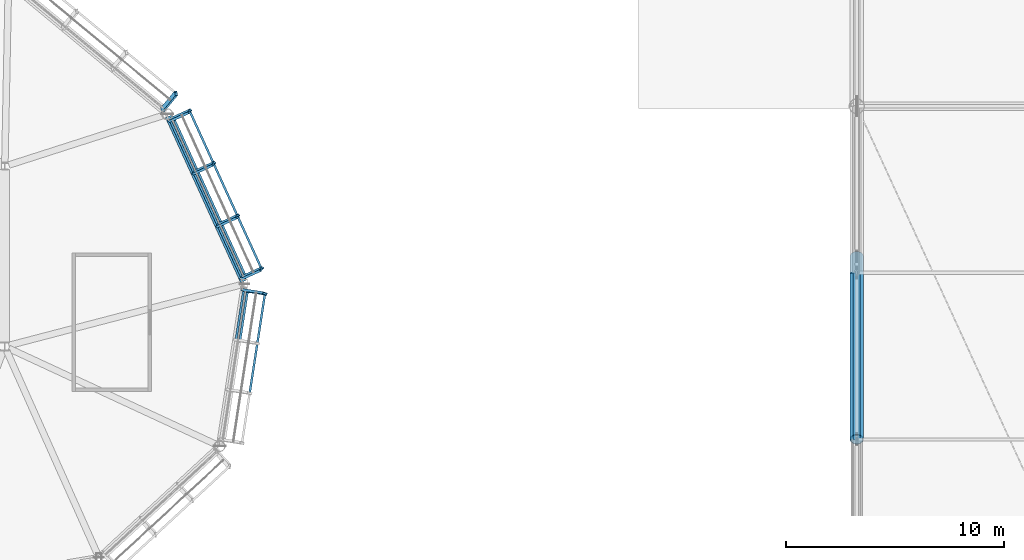
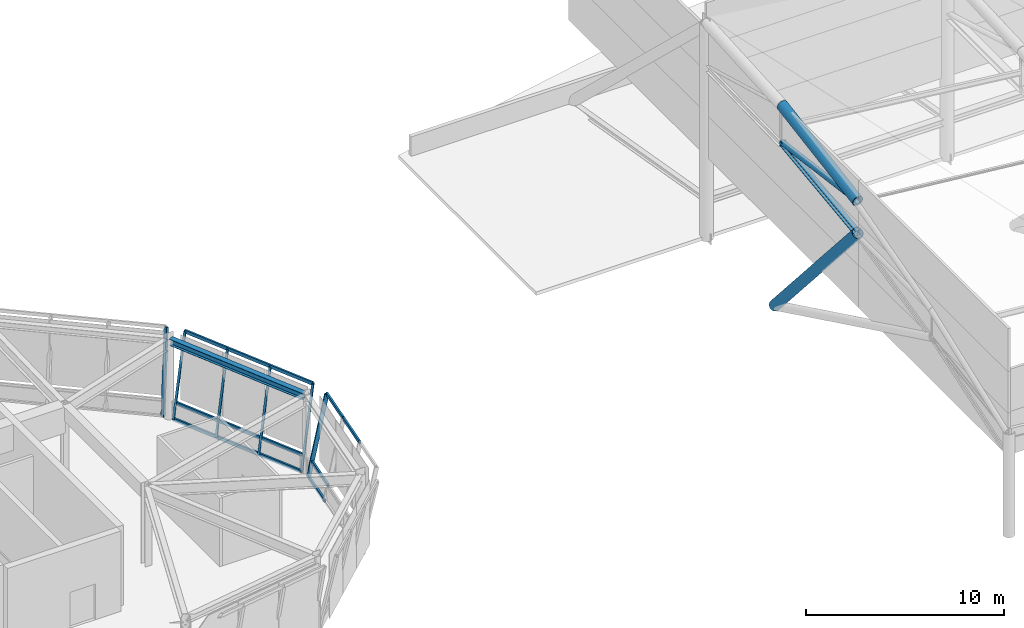
# One storey, part 57 of 113: 23 members, 1 beam, 3 elements without a shape of their own.
"""IFC4 building model written with IfcOpenShell, lengths in metres."""

from ifc_helpers import new_model, si_unit, direction, frame, origin, origin_2d, place, context, subcontext, project, spatial, hollow_rectangle, hollow_circle, i_section, extrude, material, material_profile, profile_set, type_object, element, aggregate, save


model = new_model("IFC4")

# Units and contexts
model_context = context("Model", 3, precision=1e-05, world=origin(), true_north=direction((0.0, 1.0)))
body_context = subcontext(model_context, "Body", "Model", "MODEL_VIEW")
ifc_project = project(units=[si_unit("LENGTHUNIT", "METRE"), si_unit("AREAUNIT", "SQUARE_METRE"), si_unit("VOLUMEUNIT", "CUBIC_METRE"), si_unit("PLANEANGLEUNIT", "RADIAN"), si_unit("MASSUNIT", "GRAM", prefix="KILO")], contexts=[model_context])

# Site, building, storey
site_placement = place(None, origin())
site = spatial("IfcSite", under=ifc_project, at=site_placement, CompositionType="ELEMENT")
building_placement = place(site_placement, origin())
building = spatial("IfcBuilding", under=site, at=building_placement, Name="Linyun Crest Stadium", CompositionType="ELEMENT")
storey_placement = place(building_placement, frame((0.0, 0.0, 26.39990234375)))
storey = spatial("IfcBuildingStorey", under=building, at=storey_placement, Name="L06", CompositionType="ELEMENT", Elevation=26.39990234375)

# Beam
ifc_material_1 = material(Name="Steel Q355C", Category="steel")
ifc_material_profile_1 = material_profile(ifc_material_1, i_section(OverallWidth=0.300048828125, OverallDepth=0.389892578125, WebThickness=0.010009765625, FlangeThickness=0.01611328125, at=origin_2d()), Name="HM 390x300")
ifc_profile_set_1 = profile_set([ifc_material_profile_1], Name="Steel Q355C")
beam_type = type_object("IfcBeamType", Name="B06", PredefinedType="BEAM", material=ifc_profile_set_1)
beam_placement = place(storey_placement, frame((-56.071044921875, 83.48095703125, 4.75), z_axis=(-0.41441702614, 0.910087099373, 0.0), x_axis=(-0.910087099373, -0.41441702614, 0.0)))
element("IfcBeam", 1, at=beam_placement, inside=storey, type_object=beam_type, Name="Pod ring girder B06 L06 75", PredefinedType="BEAM", context=body_context, shape_type="SweptSolid", body=[
    extrude(i_section(OverallWidth=0.300048828125, OverallDepth=0.389892578125, WebThickness=0.010009765625, FlangeThickness=0.01611328125, at=origin_2d()), origin(), (0.0, 0.0, 1.0), 8.2958984375),
])

# Curtain wall, member
ifc_material_2 = material(Name="Verdigris steel and low-E curtain wall assembly", Category="steel")
curtain_wall_type = type_object("IfcCurtainWallType", Name="MCW04", PredefinedType="NOTDEFINED", material=ifc_material_2)
curtain_wall_1_placement = place(storey_placement, origin())
curtain_wall_1 = element("IfcCurtainWall", 2, at=curtain_wall_1_placement, inside=storey, type_object=curtain_wall_type, Name="CWR-025", PredefinedType="NOTDEFINED")
ifc_material_3 = material(Name="Verdigris painted steel Q355C pod mullion", Category="steel")
ifc_material_profile_2 = material_profile(ifc_material_3, hollow_rectangle(XDim=0.1201171875, YDim=0.219970703125, WallThickness=0.008056640625, at=origin_2d()), Name="RHS 220x120x8")
ifc_profile_set_2 = profile_set([ifc_material_profile_2], Name="Verdigris painted steel Q355C pod mullion")
member_type_1 = type_object("IfcMemberType", Name="ML04", PredefinedType="MULLION", material=ifc_profile_set_2)
member_1_placement = place(storey_placement, frame((-56.06689453125, 83.074951171875, 0.0), z_axis=(0.196954171611, -0.030224909115, 0.979946686894), x_axis=(-0.297268346025, -0.954312688797, 0.030312084268)))
member_1 = element("IfcMember", 3, at=member_1_placement, type_object=member_type_1, Name="CWR-025 mullion 4", PredefinedType="MULLION", context=body_context, shape_type="SweptSolid", body=[
    extrude(hollow_rectangle(XDim=0.1201171875, YDim=0.219970703125, WallThickness=0.008056640625, at=origin_2d()), origin(), (0.0, 0.0, 1.0), 4.95947265625),
])

# Curtain wall, members
curtain_wall_2_placement = place(storey_placement, origin())
curtain_wall_2 = element("IfcCurtainWall", 4, at=curtain_wall_2_placement, inside=storey, type_object=curtain_wall_type, Name="CWR-026", PredefinedType="NOTDEFINED")
member_2_placement = place(storey_placement, frame((-56.14501953125, 83.64501953125, 0.0), z_axis=(0.181443369746, 0.082648783995, 0.979922181645), x_axis=(0.746901902917, -0.659777631544, -0.082650011091)))
member_2 = element("IfcMember", 5, at=member_2_placement, type_object=member_type_1, Name="CWR-026 mullion 1", PredefinedType="MULLION", context=body_context, shape_type="SweptSolid", body=[
    extrude(hollow_rectangle(XDim=0.1201171875, YDim=0.219970703125, WallThickness=0.008056640625, at=origin_2d()), origin(), (0.0, 0.0, 1.0), 4.959716796875),
])
member_3_placement = place(storey_placement, frame((-57.241943359375, 86.052001953125, 0.0), z_axis=(0.181443369746, 0.082648783995, 0.979922181645), x_axis=(0.746901902917, -0.659777631544, -0.082650011091)))
member_3 = element("IfcMember", 6, at=member_3_placement, type_object=member_type_1, Name="CWR-026 mullion 2", PredefinedType="MULLION", context=body_context, shape_type="SweptSolid", body=[
    extrude(hollow_rectangle(XDim=0.1201171875, YDim=0.219970703125, WallThickness=0.008056640625, at=origin_2d()), origin(), (0.0, 0.0, 1.0), 4.959716796875),
])
member_4_placement = place(storey_placement, frame((-58.337890625, 88.4599609375, 0.0), z_axis=(0.181252204132, 0.082700625459, 0.97995318513), x_axis=(0.747332110531, -0.659298213004, -0.082586820371)))
member_4 = element("IfcMember", 7, at=member_4_placement, type_object=member_type_1, Name="CWR-026 mullion 3", PredefinedType="MULLION", context=body_context, shape_type="SweptSolid", body=[
    extrude(hollow_rectangle(XDim=0.1201171875, YDim=0.219970703125, WallThickness=0.008056640625, at=origin_2d()), origin(), (0.0, 0.0, 1.0), 4.95947265625),
])
member_5_placement = place(storey_placement, frame((-59.43505859375, 90.866943359375, 0.0), z_axis=(0.181490234966, 0.082696933752, 0.979909440591), x_axis=(0.746977779315, -0.659688473454, -0.082675965084)))
member_5 = element("IfcMember", 8, at=member_5_placement, type_object=member_type_1, Name="CWR-026 mullion 4", PredefinedType="MULLION", context=body_context, shape_type="SweptSolid", body=[
    extrude(hollow_rectangle(XDim=0.1201171875, YDim=0.219970703125, WallThickness=0.008056640625, at=origin_2d()), origin(), (0.0, 0.0, 1.0), 4.959716796875),
])

# Curtain wall, member
curtain_wall_3_placement = place(storey_placement, origin())
curtain_wall_3 = element("IfcCurtainWall", 9, at=curtain_wall_3_placement, inside=storey, type_object=curtain_wall_type, Name="CWR-027", PredefinedType="NOTDEFINED")
member_6_placement = place(storey_placement, frame((-59.7900390625, 91.3310546875, 0.0), z_axis=(0.12724398281, 0.153628034951, 0.979901727581), x_axis=(0.972586832037, 0.174539399185, -0.153658232063)))
member_6 = element("IfcMember", 10, at=member_6_placement, type_object=member_type_1, Name="CWR-027 mullion 1", PredefinedType="MULLION", context=body_context, shape_type="SweptSolid", body=[
    extrude(hollow_rectangle(XDim=0.1201171875, YDim=0.219970703125, WallThickness=0.008056640625, at=origin_2d()), origin(), (0.0, 0.0, 1.0), 4.959716796875),
])
aggregate(curtain_wall_3, [member_6])

# Members
ifc_material_4 = material(Name="Steel Q420C", Category="steel")
ifc_material_profile_3 = material_profile(ifc_material_4, hollow_circle(Radius=0.304931640625, WallThickness=0.030029296875, at=origin_2d()), Name="CHS 610x30")
ifc_profile_set_3 = profile_set([ifc_material_profile_3], Name="Steel Q420C")
member_type_2 = type_object("IfcMemberType", Name="TC02", PredefinedType="CHORD", material=ifc_profile_set_3)
member_7_placement = place(storey_placement, frame((-28.0, 83.875, 12.576171875), z_axis=(0.0, -0.986323845108, -0.164818908415), x_axis=(1.0, 0.0, 0.0)))
element("IfcMember", 11, at=member_7_placement, inside=storey, type_object=member_type_2, Name="Roof truss top chord TC02 V3 366", PredefinedType="CHORD", context=body_context, shape_type="SweptSolid", body=[
    extrude(hollow_circle(Radius=0.304931640625, WallThickness=0.030029296875, at=origin_2d()), origin(), (0.0, 0.0, 1.0), 7.730712890625),
])
member_8_placement = place(storey_placement, frame((-28.0, 84.625, -0.21484375), z_axis=(0.0, -0.659690988312, 0.751536958466), x_axis=(1.0, 0.0, 0.0)))
element("IfcMember", 12, at=member_8_placement, inside=storey, type_object=member_type_2, Name="Roof arch inclined support strut TC02 V3 378", PredefinedType="CHORD", context=body_context, shape_type="SweptSolid", body=[
    extrude(hollow_circle(Radius=0.304931640625, WallThickness=0.030029296875, at=origin_2d()), origin(), (0.0, 0.0, 1.0), 12.6953125),
])
ifc_material_5 = material(Name="Steel Q355C", Category="steel")
ifc_material_profile_4 = material_profile(ifc_material_5, i_section(OverallWidth=0.300048828125, OverallDepth=0.300048828125, WebThickness=0.010009765625, FlangeThickness=0.014892578125, at=origin_2d()), Name="HW 300x300")
ifc_profile_set_4 = profile_set([ifc_material_profile_4], Name="Steel Q355C")
member_type_3 = type_object("IfcMemberType", Name="TC03", PredefinedType="CHORD", material=ifc_profile_set_4)
member_9_placement = place(storey_placement, frame((-28.0, 83.875, 10.2880859375), z_axis=(0.0, -0.992136487072, -0.125160660831), x_axis=(1.0, 0.0, 0.0)))
element("IfcMember", 13, at=member_9_placement, inside=storey, type_object=member_type_3, Name="Roof truss bottom chord TC03 V3 367", PredefinedType="CHORD", context=body_context, shape_type="SweptSolid", body=[
    extrude(i_section(OverallWidth=0.300048828125, OverallDepth=0.300048828125, WebThickness=0.010009765625, FlangeThickness=0.014892578125, at=origin_2d()), origin(), (0.0, 0.0, 1.0), 7.685546875),
])
ifc_material_6 = material(Name="Steel Q355C", Category="steel")
ifc_material_profile_5 = material_profile(ifc_material_6, hollow_circle(Radius=0.16259765625, WallThickness=0.01611328125, at=origin_2d()), Name="CHS 325x16")
ifc_profile_set_5 = profile_set([ifc_material_profile_5], Name="Steel Q355C")
member_type_4 = type_object("IfcMemberType", Name="TD02", PredefinedType="BRACE", material=ifc_profile_set_5)
member_10_placement = place(storey_placement, frame((-28.0, 83.875, 10.2880859375), z_axis=(0.0, -0.991274684729, 0.131812364424), x_axis=(1.0, 0.0, 0.0)))
element("IfcMember", 14, at=member_10_placement, inside=storey, type_object=member_type_4, Name="Roof truss diagonal TD02 V3 368", PredefinedType="BRACE", context=body_context, shape_type="SweptSolid", body=[
    extrude(hollow_circle(Radius=0.16259765625, WallThickness=0.01611328125, at=origin_2d()), origin(), (0.0, 0.0, 1.0), 7.692138671875),
])

# Member
ifc_material_7 = material(Name="Verdigris painted steel Q355C transom", Category="steel")
ifc_material_profile_6 = material_profile(ifc_material_7, hollow_rectangle(XDim=0.10009765625, YDim=0.199951171875, WallThickness=0.008056640625, at=origin_2d()), Name="RHS 200x100x8")
ifc_profile_set_6 = profile_set([ifc_material_profile_6], Name="Verdigris painted steel Q355C transom")
member_type_5 = type_object("IfcMemberType", Name="TR03", PredefinedType="USERDEFINED", material=ifc_profile_set_6)
member_11_placement = place(storey_placement, frame((-55.791015625, 78.365966796875, 4.860107421875), z_axis=(0.152248123454, 0.988342303509, 0.0), x_axis=(-0.988342303509, 0.152248123454, 0.0)))
member_11 = element("IfcMember", 15, at=member_11_placement, type_object=member_type_5, Name="CWR-025 transom 2.3", ObjectType="TRANSOM", PredefinedType="USERDEFINED", context=body_context, shape_type="SweptSolid", body=[
    extrude(hollow_rectangle(XDim=0.10009765625, YDim=0.199951171875, WallThickness=0.008056640625, at=origin_2d()), origin(), (0.0, 0.0, 1.0), 2.305908203125),
])

member_12_placement = place(storey_placement, frame((-56.41796875, 80.7958984375, 0.0), z_axis=(0.152248123454, 0.988342303509, 0.0), x_axis=(-0.988342303509, 0.152248123454, 0.0)))
member_12 = element("IfcMember", 16, at=member_12_placement, type_object=member_type_5, Name="CWR-025 transom 3.1", ObjectType="TRANSOM", PredefinedType="USERDEFINED", context=body_context, shape_type="SweptSolid", body=[
    extrude(hollow_rectangle(XDim=0.10009765625, YDim=0.199951171875, WallThickness=0.008056640625, at=origin_2d()), origin(), (0.0, 0.0, 1.0), 2.305908203125),
])

member_13_placement = place(storey_placement, frame((-56.237060546875, 80.76806640625, 0.900146484375), z_axis=(0.152248123454, 0.988342303509, 0.0), x_axis=(-0.988342303509, 0.152248123454, 0.0)))
member_13 = element("IfcMember", 17, at=member_13_placement, type_object=member_type_5, Name="CWR-025 transom 3.2", ObjectType="TRANSOM", PredefinedType="USERDEFINED", context=body_context, shape_type="SweptSolid", body=[
    extrude(hollow_rectangle(XDim=0.10009765625, YDim=0.199951171875, WallThickness=0.008056640625, at=origin_2d()), origin(), (0.0, 0.0, 1.0), 2.305908203125),
])

member_14_placement = place(storey_placement, frame((-55.43994140625, 80.64501953125, 4.860107421875), z_axis=(0.151667464216, 0.988431575931, 0.0), x_axis=(-0.988431575931, 0.151667464216, 0.0)))
member_14 = element("IfcMember", 18, at=member_14_placement, type_object=member_type_5, Name="CWR-025 transom 3.3", ObjectType="TRANSOM", PredefinedType="USERDEFINED", context=body_context, shape_type="SweptSolid", body=[
    extrude(hollow_rectangle(XDim=0.10009765625, YDim=0.199951171875, WallThickness=0.008056640625, at=origin_2d()), origin(), (0.0, 0.0, 1.0), 2.306640625),
])

aggregate(curtain_wall_1, [member_1, member_11, member_12, member_13, member_14])

member_15_placement = place(storey_placement, frame((-56.14501953125, 83.64501953125, 0.0), z_axis=(-0.414692848815, 0.90996145036, 0.0), x_axis=(-0.90996145036, -0.414692848815, 0.0)))
member_15 = element("IfcMember", 19, at=member_15_placement, type_object=member_type_5, Name="CWR-026 transom 1.1", ObjectType="TRANSOM", PredefinedType="USERDEFINED", context=body_context, shape_type="SweptSolid", body=[
    extrude(hollow_rectangle(XDim=0.10009765625, YDim=0.199951171875, WallThickness=0.008056640625, at=origin_2d()), origin(), (0.0, 0.0, 1.0), 2.645263671875),
])

member_16_placement = place(storey_placement, frame((-55.97802734375, 83.720947265625, 0.900146484375), z_axis=(-0.414692848815, 0.90996145036, 0.0), x_axis=(-0.90996145036, -0.414692848815, 0.0)))
member_16 = element("IfcMember", 20, at=member_16_placement, type_object=member_type_5, Name="CWR-026 transom 1.2", ObjectType="TRANSOM", PredefinedType="USERDEFINED", context=body_context, shape_type="SweptSolid", body=[
    extrude(hollow_rectangle(XDim=0.10009765625, YDim=0.199951171875, WallThickness=0.008056640625, at=origin_2d()), origin(), (0.0, 0.0, 1.0), 2.645263671875),
])

member_17_placement = place(storey_placement, frame((-55.2451171875, 84.054931640625, 4.860107421875), z_axis=(-0.414692848815, 0.90996145036, 0.0), x_axis=(-0.90996145036, -0.414692848815, 0.0)))
member_17 = element("IfcMember", 21, at=member_17_placement, type_object=member_type_5, Name="CWR-026 transom 1.3", ObjectType="TRANSOM", PredefinedType="USERDEFINED", context=body_context, shape_type="SweptSolid", body=[
    extrude(hollow_rectangle(XDim=0.10009765625, YDim=0.199951171875, WallThickness=0.008056640625, at=origin_2d()), origin(), (0.0, 0.0, 1.0), 2.645263671875),
])

member_18_placement = place(storey_placement, frame((-57.241943359375, 86.052001953125, 0.0), z_axis=(-0.414247864609, 0.910164109744, 0.0), x_axis=(-0.910164109744, -0.414247864609, 0.0)))
member_18 = element("IfcMember", 22, at=member_18_placement, type_object=member_type_5, Name="CWR-026 transom 2.1", ObjectType="TRANSOM", PredefinedType="USERDEFINED", context=body_context, shape_type="SweptSolid", body=[
    extrude(hollow_rectangle(XDim=0.10009765625, YDim=0.199951171875, WallThickness=0.008056640625, at=origin_2d()), origin(), (0.0, 0.0, 1.0), 2.645751953125),
])

member_19_placement = place(storey_placement, frame((-57.074951171875, 86.1279296875, 0.900146484375), z_axis=(-0.414629980899, 0.909990098265, 0.0), x_axis=(-0.909990098265, -0.414629980899, 0.0)))
member_19 = element("IfcMember", 23, at=member_19_placement, type_object=member_type_5, Name="CWR-026 transom 2.2", ObjectType="TRANSOM", PredefinedType="USERDEFINED", context=body_context, shape_type="SweptSolid", body=[
    extrude(hollow_rectangle(XDim=0.10009765625, YDim=0.199951171875, WallThickness=0.008056640625, at=origin_2d()), origin(), (0.0, 0.0, 1.0), 2.646240234375),
])

member_20_placement = place(storey_placement, frame((-56.342041015625, 86.4619140625, 4.860107421875), z_axis=(-0.414518769866, 0.91004076251, 0.0), x_axis=(-0.91004076251, -0.414518769866, 0.0)))
member_20 = element("IfcMember", 24, at=member_20_placement, type_object=member_type_5, Name="CWR-026 transom 2.3", ObjectType="TRANSOM", PredefinedType="USERDEFINED", context=body_context, shape_type="SweptSolid", body=[
    extrude(hollow_rectangle(XDim=0.10009765625, YDim=0.199951171875, WallThickness=0.008056640625, at=origin_2d()), origin(), (0.0, 0.0, 1.0), 2.646240234375),
])

member_21_placement = place(storey_placement, frame((-58.337890625, 88.4599609375, 0.0), z_axis=(-0.414769269545, 0.909926619591, 0.0), x_axis=(-0.909926619591, -0.414769269545, 0.0)))
member_21 = element("IfcMember", 25, at=member_21_placement, type_object=member_type_5, Name="CWR-026 transom 3.1", ObjectType="TRANSOM", PredefinedType="USERDEFINED", context=body_context, shape_type="SweptSolid", body=[
    extrude(hollow_rectangle(XDim=0.10009765625, YDim=0.199951171875, WallThickness=0.008056640625, at=origin_2d()), origin(), (0.0, 0.0, 1.0), 2.645263671875),
])

member_22_placement = place(storey_placement, frame((-58.172119140625, 88.535888671875, 0.900146484375), z_axis=(-0.414352266897, 0.910116585343, 0.0), x_axis=(-0.910116585343, -0.414352266897, 0.0)))
member_22 = element("IfcMember", 26, at=member_22_placement, type_object=member_type_5, Name="CWR-026 transom 3.2", ObjectType="TRANSOM", PredefinedType="USERDEFINED", context=body_context, shape_type="SweptSolid", body=[
    extrude(hollow_rectangle(XDim=0.10009765625, YDim=0.199951171875, WallThickness=0.008056640625, at=origin_2d()), origin(), (0.0, 0.0, 1.0), 2.64501953125),
])

member_23_placement = place(storey_placement, frame((-57.43896484375, 88.8701171875, 4.860107421875), z_axis=(-0.414387078143, 0.91010073589, 0.0), x_axis=(-0.91010073589, -0.414387078143, 0.0)))
member_23 = element("IfcMember", 27, at=member_23_placement, type_object=member_type_5, Name="CWR-026 transom 3.3", ObjectType="TRANSOM", PredefinedType="USERDEFINED", context=body_context, shape_type="SweptSolid", body=[
    extrude(hollow_rectangle(XDim=0.10009765625, YDim=0.199951171875, WallThickness=0.008056640625, at=origin_2d()), origin(), (0.0, 0.0, 1.0), 2.644775390625),
])

aggregate(curtain_wall_2, [member_2, member_3, member_4, member_5, member_15, member_16, member_17, member_18, member_19, member_20, member_21, member_22, member_23])

save(model, "model.ifc")
